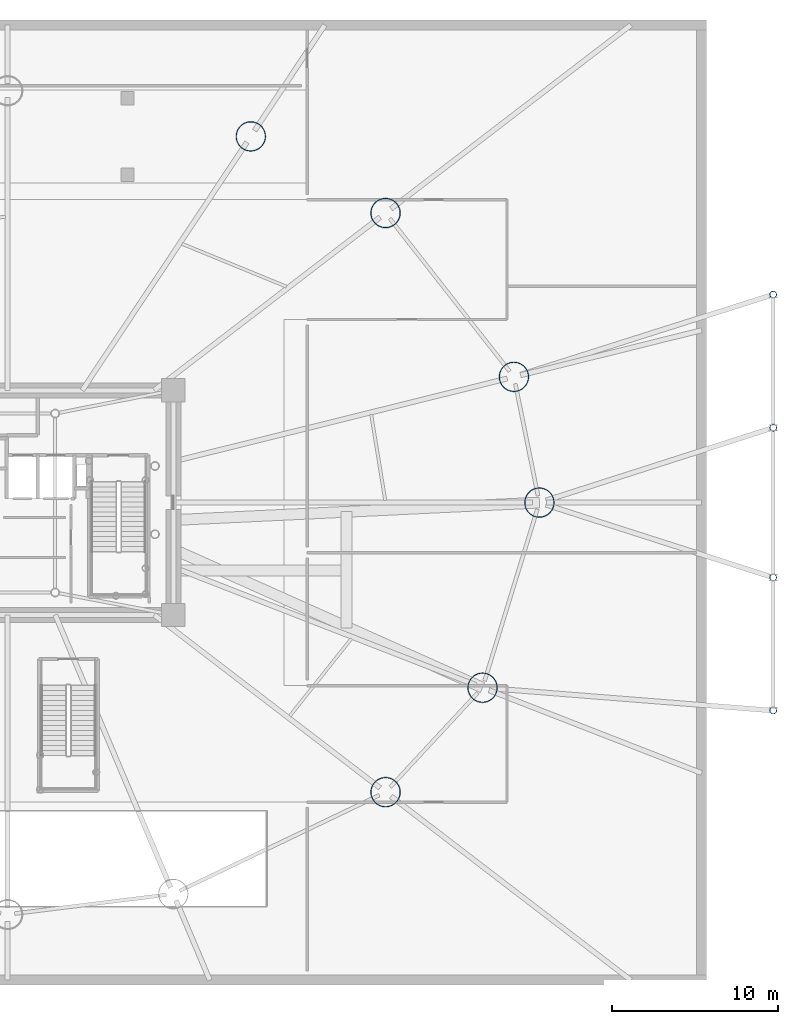
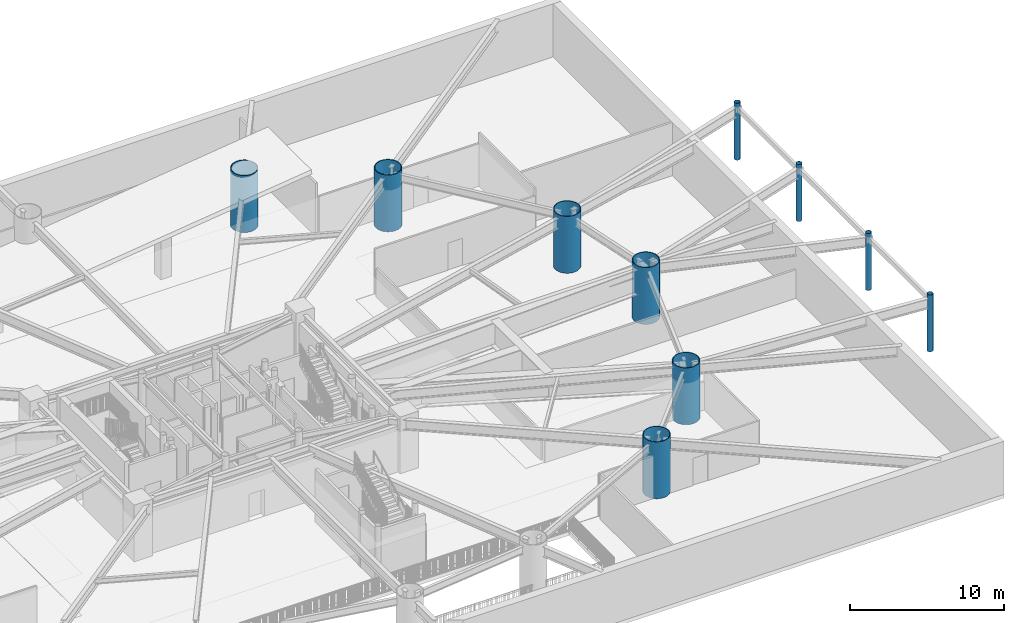
# One storey, part 4 of 21: 10 columns.
"""IFC4 building model written with IfcOpenShell, lengths in metres."""

from ifc_helpers import new_model, si_unit, direction, frame, origin, origin_2d, place, context, subcontext, project, spatial, hollow_circle, extrude, material, material_profile, profile_set, type_object, element, save


model = new_model("IFC4")

# Units and contexts
model_context = context("Model", 3, precision=1e-05, world=origin(), true_north=direction((0.0, 1.0)))
body_context = subcontext(model_context, "Body", "Model", "MODEL_VIEW")
ifc_project = project(units=[si_unit("LENGTHUNIT", "METRE"), si_unit("AREAUNIT", "SQUARE_METRE"), si_unit("VOLUMEUNIT", "CUBIC_METRE"), si_unit("PLANEANGLEUNIT", "RADIAN"), si_unit("MASSUNIT", "GRAM", prefix="KILO")], contexts=[model_context])

# Site, building, storey
site_placement = place(None, origin())
site = spatial("IfcSite", under=ifc_project, at=site_placement, CompositionType="ELEMENT")
building_placement = place(site_placement, origin())
building = spatial("IfcBuilding", under=site, at=building_placement, Name="Linh Dai School and Residence Tower", CompositionType="ELEMENT")
storey_placement = place(building_placement, frame((0.0, 0.0, -4.5)))
storey = spatial("IfcBuildingStorey", under=building, at=storey_placement, Name="B01", CompositionType="ELEMENT", Elevation=-4.5)

# Columns
ifc_material = material(Name="Structural Steel S355JR", Category="steel")
ifc_material_profile_1 = material_profile(ifc_material, hollow_circle(Radius=0.203125, WallThickness=0.01611328125, at=origin_2d()), Name="CHS 406.4x16")
ifc_profile_set_1 = profile_set([ifc_material_profile_1], Name="Structural Steel S355JR")
column_type_1 = type_object("IfcColumnType", Name="COL-EC", PredefinedType="COLUMN", material=ifc_profile_set_1)
for number, where, z_axis, x_axis, name in (
    (1, (82.0, 14.5, 0.0), (0.0, 0.0, 1.0), (1.0, 0.0, 0.0), "B01 East Arrival Canopy Pier EC1"),
    (2, (82.0, 22.5, 0.0), (0.0, 0.0, 1.0), (1.0, 0.0, 0.0), "B01 East Arrival Canopy Pier EC2"),
    (3, (82.0, 31.5, 0.0), (0.0, 0.0, 1.0), (1.0, 0.0, 0.0), "B01 East Arrival Canopy Pier EC3"),
    (4, (82.0, 39.5, 0.0), (0.0, 0.0, 1.0), (1.0, 0.0, 0.0), "B01 East Arrival Canopy Pier EC4"),
):
    element("IfcColumn", number, at=place(storey_placement, frame(where, z_axis=z_axis, x_axis=x_axis)), inside=storey, type_object=column_type_1, Name=name, PredefinedType="COLUMN", context=body_context, shape_type="SweptSolid", body=[
        extrude(hollow_circle(Radius=0.203125, WallThickness=0.01611328125, at=origin_2d()), origin(), (0.0, 0.0, 1.0), 4.5),
    ])
ifc_material_profile_2 = material_profile(ifc_material, hollow_circle(Radius=0.89990234375, WallThickness=0.050048828125, at=origin_2d()), Name="CHS 1800x50")
ifc_profile_set_2 = profile_set([ifc_material_profile_2], Name="Structural Steel S355JR")
column_type_2 = type_object("IfcColumnType", Name="COL-MC1", PredefinedType="COLUMN", material=ifc_profile_set_2)
for number, where, z_axis, x_axis, name in (
    (5, (67.949951171875, 27.0, 0.0), (0.0, 0.0, 1.0), (1.0, 0.0, 0.0), "B01 Perimeter CFT Mega-Column MC01"),
    (6, (66.42041015625, 34.555419921875, 0.0), (0.0, 0.0, 1.0), (1.0, 0.0, 0.0), "B01 Perimeter CFT Mega-Column MC02"),
    (7, (58.705322265625, 44.400634765625, 0.0), (0.0, 0.0, 1.0), (1.0, 0.0, 0.0), "B01 Perimeter CFT Mega-Column MC03"),
    (8, (50.609130859375, 49.005126953125, 0.0), (0.0, 0.0, 1.0), (1.0, 0.0, 0.0), "B01 Perimeter CFT Mega-Column MC04"),
    (9, (58.705322265625, 9.599365234375, 0.0), (0.0, 0.0, 1.0), (1.0, 0.0, 0.0), "B01 Perimeter CFT Mega-Column MC15"),
    (10, (64.53369140625, 15.8779296875, 0.0), (0.0, 0.0, 1.0), (1.0, 0.0, 0.0), "B01 Perimeter CFT Mega-Column MC16"),
):
    element("IfcColumn", number, at=place(storey_placement, frame(where, z_axis=z_axis, x_axis=x_axis)), inside=storey, type_object=column_type_2, Name=name, PredefinedType="COLUMN", context=body_context, shape_type="SweptSolid", body=[
        extrude(hollow_circle(Radius=0.89990234375, WallThickness=0.050048828125, at=origin_2d()), origin(), (0.0, 0.0, 1.0), 4.5),
    ])

save(model, "model.ifc")
